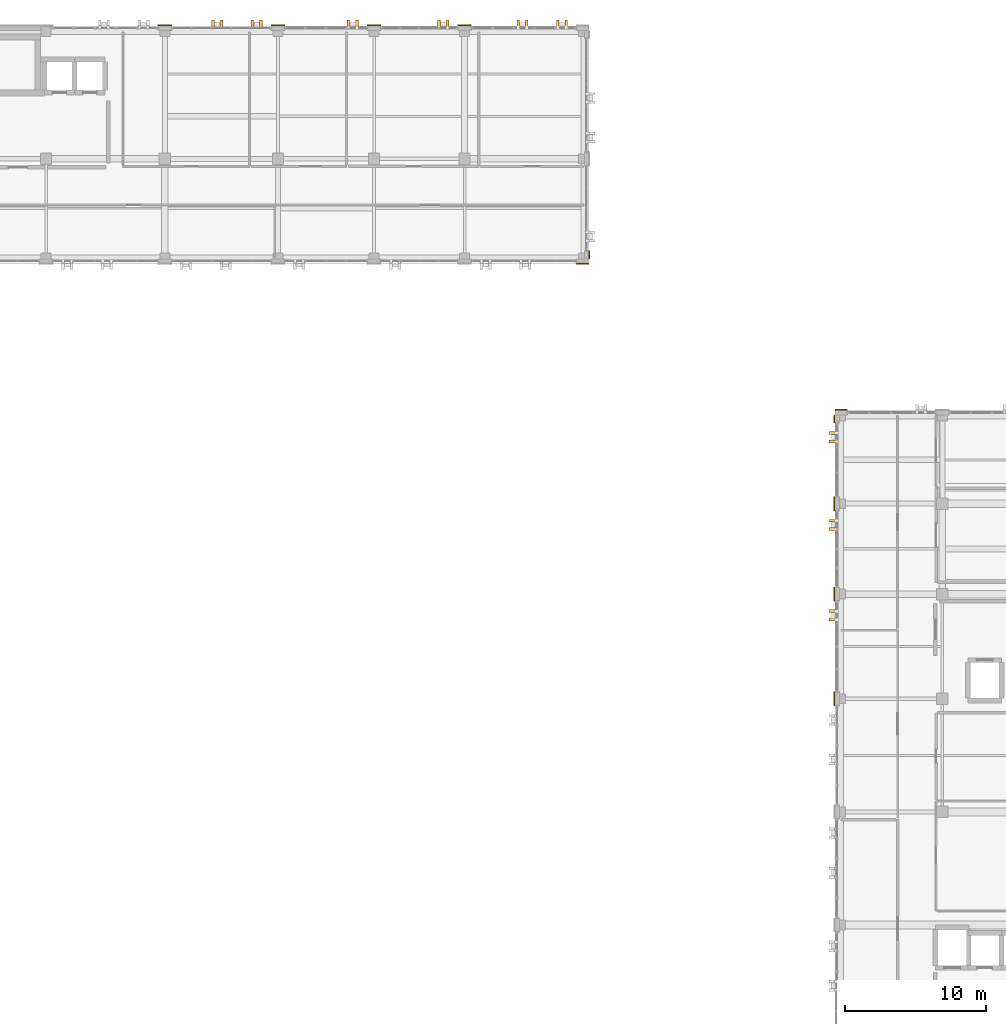
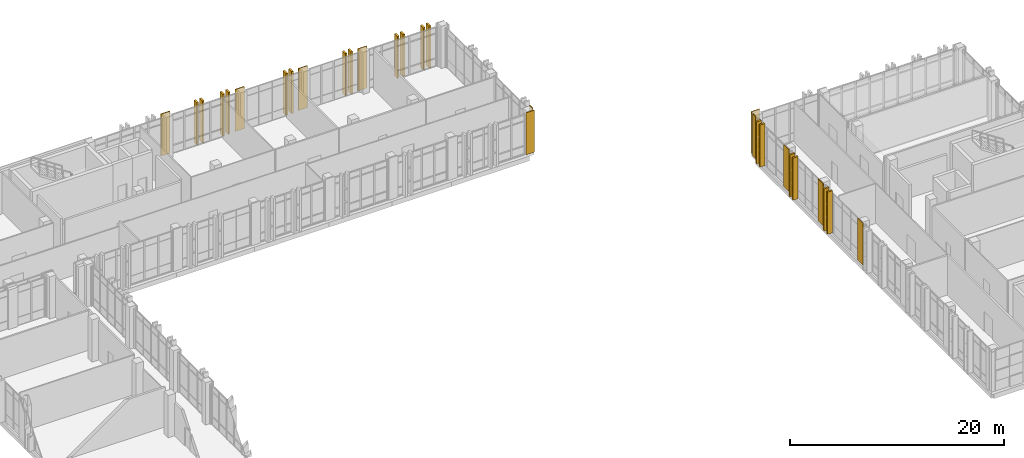
# One storey, part 181 of 189: 29 coverings.
"""IFC4 building model written with IfcOpenShell, lengths in metres."""

from ifc_helpers import new_model, si_unit, direction, frame, origin, origin_2d, place, context, subcontext, project, spatial, rectangle, extrude, material, layer, layer_set, type_object, element, save


model = new_model("IFC4")

# Units and contexts
model_context = context("Model", 3, precision=1e-05, world=origin(), true_north=direction((0.0, 1.0)))
body_context = subcontext(model_context, "Body", "Model", "MODEL_VIEW")
ifc_project = project(units=[si_unit("LENGTHUNIT", "METRE"), si_unit("AREAUNIT", "SQUARE_METRE"), si_unit("VOLUMEUNIT", "CUBIC_METRE"), si_unit("PLANEANGLEUNIT", "RADIAN"), si_unit("MASSUNIT", "GRAM", prefix="KILO")], contexts=[model_context])

# Site, building, storey
site_placement = place(None, origin())
site = spatial("IfcSite", under=ifc_project, at=site_placement, CompositionType="ELEMENT")
building_placement = place(site_placement, origin())
building = spatial("IfcBuilding", under=site, at=building_placement, Name="Qalavern Law Courts", CompositionType="ELEMENT")
storey_placement = place(building_placement, frame((0.0, 0.0, 5.39990234375)))
storey = spatial("IfcBuildingStorey", under=building, at=storey_placement, Name="L01", CompositionType="ELEMENT", Elevation=5.39990234375)

# Coverings
ifc_material = material(Name="Precast concrete C40/50", Category="concrete")
ifc_layer_1 = layer(ifc_material, 0.199951171875)
ifc_layer_set_1 = layer_set([ifc_layer_1], Name="Precast concrete C40/50")
covering_type_1 = type_object("IfcCoveringType", Name="ENV-BLD-1", PredefinedType="CLADDING", material=ifc_layer_set_1)
for number, where, z_axis, x_axis, name in (
    (1, (84.052490234375, 84.199951171875, 0.005126953125), (0.0, 0.0, 1.0), (-1.0, 0.0, 0.0), "Absheron stone facade blade 0561"),
    (2, (84.052490234375, 83.60009765625, 0.005126953125), (0.0, 0.0, 1.0), (-1.0, 0.0, 0.0), "Absheron stone facade blade 0562"),
    (3, (84.052490234375, 78.0, 0.005126953125), (0.0, 0.0, 1.0), (-1.0, 0.0, 0.0), "Absheron stone facade blade 0563"),
    (4, (84.052490234375, 77.39990234375, 0.005126953125), (0.0, 0.0, 1.0), (-1.0, 0.0, 0.0), "Absheron stone facade blade 0564"),
    (5, (84.052490234375, 71.60009765625, 0.005126953125), (0.0, 0.0, 1.0), (-1.0, 0.0, 0.0), "Absheron stone facade blade 0565"),
    (6, (84.052490234375, 71.0, 0.005126953125), (0.0, 0.0, 1.0), (-1.0, 0.0, 0.0), "Absheron stone facade blade 0566"),
    (7, (65.199951171875, 113.1474609375, 0.005126953125), (0.0, 0.0, 1.0), (0.0, 1.0, 0.0), "Absheron stone facade blade 0923"),
    (8, (64.60009765625, 113.1474609375, 0.005126953125), (0.0, 0.0, 1.0), (0.0, 1.0, 0.0), "Absheron stone facade blade 0924"),
    (9, (62.39990234375, 113.1474609375, 0.005126953125), (0.0, 0.0, 1.0), (0.0, 1.0, 0.0), "Absheron stone facade blade 0925"),
    (10, (61.800048828125, 113.1474609375, 0.005126953125), (0.0, 0.0, 1.0), (0.0, 1.0, 0.0), "Absheron stone facade blade 0926"),
    (11, (56.800048828125, 113.1474609375, 0.005126953125), (0.0, 0.0, 1.0), (0.0, 1.0, 0.0), "Absheron stone facade blade 0927"),
    (12, (56.199951171875, 113.1474609375, 0.005126953125), (0.0, 0.0, 1.0), (0.0, 1.0, 0.0), "Absheron stone facade blade 0928"),
    (13, (50.39990234375, 113.1474609375, 0.005126953125), (0.0, 0.0, 1.0), (0.0, 1.0, 0.0), "Absheron stone facade blade 0929"),
    (14, (49.800048828125, 113.1474609375, 0.005126953125), (0.0, 0.0, 1.0), (0.0, 1.0, 0.0), "Absheron stone facade blade 0930"),
    (15, (43.60009765625, 113.1474609375, 0.005126953125), (0.0, 0.0, 1.0), (0.0, 1.0, 0.0), "Absheron stone facade blade 0931"),
    (16, (43.0, 113.1474609375, 0.005126953125), (0.0, 0.0, 1.0), (0.0, 1.0, 0.0), "Absheron stone facade blade 0932"),
    (17, (40.800048828125, 113.1474609375, 0.005126953125), (0.0, 0.0, 1.0), (0.0, 1.0, 0.0), "Absheron stone facade blade 0933"),
    (18, (40.199951171875, 113.1474609375, 0.005126953125), (0.0, 0.0, 1.0), (0.0, 1.0, 0.0), "Absheron stone facade blade 0934"),
):
    element("IfcCovering", number, at=place(storey_placement, frame(where, z_axis=z_axis, x_axis=x_axis)), inside=storey, type_object=covering_type_1, Name=name, PredefinedType="CLADDING", context=body_context, shape_type="SweptSolid", body=[
        extrude(rectangle(XDim=0.5400390625, YDim=0.199951171875, at=origin_2d()), origin(), (0.0, 0.0, 1.0), 4.7900390625),
    ])
ifc_layer_2 = layer(ifc_material, 0.072021484375)
ifc_layer_set_2 = layer_set([ifc_layer_2], Name="Precast concrete C40/50")
covering_type_2 = type_object("IfcCoveringType", Name="ENV-CLD-2", PredefinedType="CLADDING", material=ifc_layer_set_2)
covering_1_placement = place(storey_placement, frame((84.64990234375, 85.8330078125, 0.01025390625), z_axis=(0.0, 0.0, 1.0), x_axis=(-1.0, 0.0, 0.0)))
element("IfcCovering", 19, at=covering_1_placement, inside=storey, type_object=covering_type_2, Name="V4 Absheron limestone pier facing L01 north 3", PredefinedType="CLADDING", context=body_context, shape_type="SweptSolid", body=[
    extrude(rectangle(XDim=0.8798828125, YDim=0.072021484375, at=origin_2d()), origin(), (0.0, 0.0, 1.0), 4.780029296875),
])
covering_2_placement = place(storey_placement, frame((84.1669921875, 85.18994140625, 0.01025390625), z_axis=(0.0, 0.0, 1.0), x_axis=(0.0, -1.0, 0.0)))
element("IfcCovering", 20, at=covering_2_placement, inside=storey, type_object=covering_type_2, Name="V4 Absheron limestone pier facing L01 west 1", PredefinedType="CLADDING", context=body_context, shape_type="SweptSolid", body=[
    extrude(rectangle(XDim=0.56005859375, YDim=0.072021484375, at=origin_2d()), origin(), (0.0, 0.0, 1.0), 4.780029296875),
])
for number, where, z_axis, x_axis, name in (
    (21, (84.1669921875, 79.199951171875, 0.01025390625), (0.0, 0.0, 1.0), (0.0, -1.0, 0.0), "V4 Absheron limestone pier facing L01 west 2"),
    (22, (84.1669921875, 72.800048828125, 0.01025390625), (0.0, 0.0, 1.0), (0.0, -1.0, 0.0), "V4 Absheron limestone pier facing L01 west 3"),
    (23, (84.1669921875, 65.39990234375, 0.01025390625), (0.0, 0.0, 1.0), (0.0, -1.0, 0.0), "V4 Absheron limestone pier facing L01 west 4"),
):
    element("IfcCovering", number, at=place(storey_placement, frame(where, z_axis=z_axis, x_axis=x_axis)), inside=storey, type_object=covering_type_2, Name=name, PredefinedType="CLADDING", context=body_context, shape_type="SweptSolid", body=[
        extrude(rectangle(XDim=0.97998046875, YDim=0.072021484375, at=origin_2d()), origin(), (0.0, 0.0, 1.0), 4.780029296875),
    ])
covering_3_placement = place(storey_placement, frame((66.35009765625, 96.1669921875, 0.01025390625), z_axis=(0.0, 0.0, 1.0), x_axis=(1.0, 0.0, 0.0)))
element("IfcCovering", 24, at=covering_3_placement, inside=storey, type_object=covering_type_2, Name="V5 Absheron limestone pier facing L01 south 7", PredefinedType="CLADDING", context=body_context, shape_type="SweptSolid", body=[
    extrude(rectangle(XDim=0.8798828125, YDim=0.072021484375, at=origin_2d()), origin(), (0.0, 0.0, 1.0), 4.780029296875),
])
covering_4_placement = place(storey_placement, frame((66.8330078125, 96.81005859375, 0.01025390625), z_axis=(0.0, 0.0, 1.0), x_axis=(0.0, 1.0, 0.0)))
element("IfcCovering", 25, at=covering_4_placement, inside=storey, type_object=covering_type_2, Name="V5 Absheron limestone pier facing L01 east 1", PredefinedType="CLADDING", context=body_context, shape_type="SweptSolid", body=[
    extrude(rectangle(XDim=0.56005859375, YDim=0.072021484375, at=origin_2d()), origin(), (0.0, 0.0, 1.0), 4.780029296875),
])
for number, where, z_axis, x_axis, name in (
    (26, (58.0, 113.032958984375, 0.01025390625), (0.0, 0.0, 1.0), (-1.0, 0.0, 0.0), "V5 Absheron limestone pier facing L01 north 2"),
    (27, (51.60009765625, 113.032958984375, 0.01025390625), (0.0, 0.0, 1.0), (-1.0, 0.0, 0.0), "V5 Absheron limestone pier facing L01 north 3"),
    (28, (44.800048828125, 113.032958984375, 0.01025390625), (0.0, 0.0, 1.0), (-1.0, 0.0, 0.0), "V5 Absheron limestone pier facing L01 north 4"),
    (29, (36.800048828125, 113.032958984375, 0.01025390625), (0.0, 0.0, 1.0), (-1.0, 0.0, 0.0), "V5 Absheron limestone pier facing L01 north 5"),
):
    element("IfcCovering", number, at=place(storey_placement, frame(where, z_axis=z_axis, x_axis=x_axis)), inside=storey, type_object=covering_type_2, Name=name, PredefinedType="CLADDING", context=body_context, shape_type="SweptSolid", body=[
        extrude(rectangle(XDim=0.97998046875, YDim=0.072021484375, at=origin_2d()), origin(), (0.0, 0.0, 1.0), 4.780029296875),
    ])

save(model, "model.ifc")
